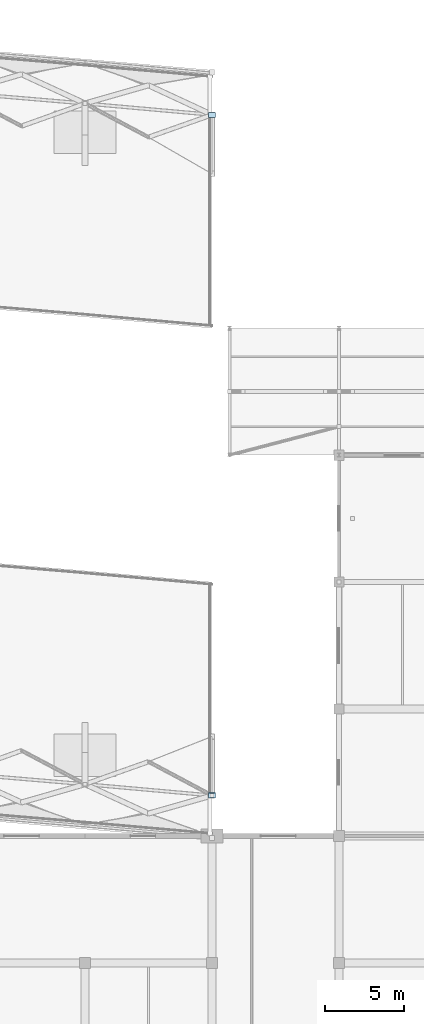
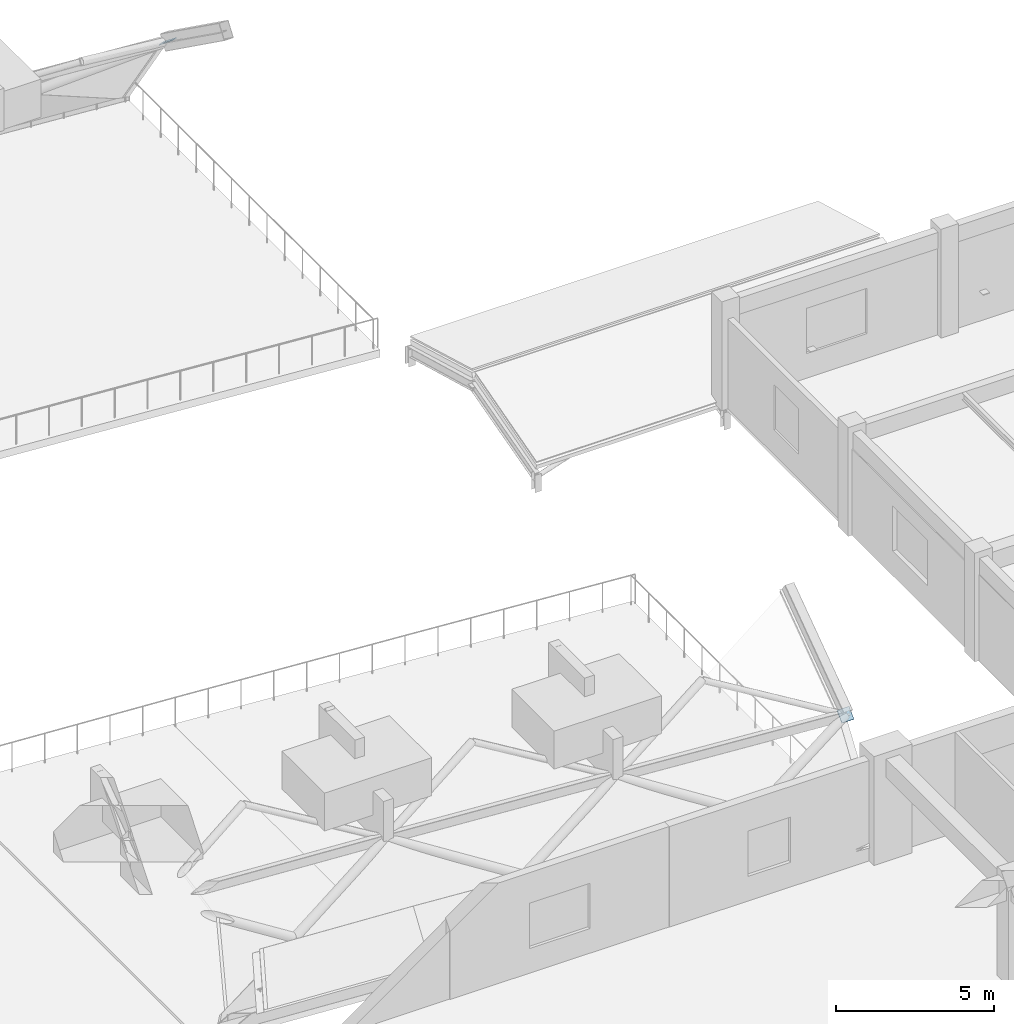
# One storey, part 41 of 67: 2 plates.
"""IFC4 building model written with IfcOpenShell, lengths in metres."""

from ifc_helpers import new_model, si_unit, direction, frame, origin, place, context, subcontext, project, spatial, polyline, outline, extrude, material, layer, layer_set, type_object, element, save


model = new_model("IFC4")

# Units and contexts
model_context = context("Model", 3, precision=1e-05, world=origin(), true_north=direction((0.0, 1.0)))
body_context = subcontext(model_context, "Body", "Model", "MODEL_VIEW")
ifc_project = project(units=[si_unit("LENGTHUNIT", "METRE"), si_unit("AREAUNIT", "SQUARE_METRE"), si_unit("VOLUMEUNIT", "CUBIC_METRE"), si_unit("PLANEANGLEUNIT", "RADIAN"), si_unit("MASSUNIT", "GRAM", prefix="KILO")], contexts=[model_context])

# Site, building, storey
site_placement = place(None, origin())
site = spatial("IfcSite", under=ifc_project, at=site_placement, CompositionType="ELEMENT")
building_placement = place(site_placement, origin())
building = spatial("IfcBuilding", under=site, at=building_placement, Name="Kenh Van Central Station", CompositionType="ELEMENT")
storey_placement = place(building_placement, frame((0.0, 0.0, 10.800048828125)))
storey = spatial("IfcBuildingStorey", under=building, at=storey_placement, Name="L02", CompositionType="ELEMENT", Elevation=10.800048828125)

# Plates
ifc_material = material(Name="White fluoropolymer structural steel S355", Category="steel")
ifc_layer = layer(ifc_material, 0.02490234375, Name="White fluoropolymer structural steel S355")
ifc_layer_set = layer_set([ifc_layer], Name="White fluoropolymer structural steel S355")
plate_type = type_object("IfcPlateType", Name="PLT-GUSSET-NP25", PredefinedType="USERDEFINED", material=ifc_layer_set)
for number, where, z_axis, x_axis, name in (
    (1, (143.780029296875, 66.394775390625, 3.608154296875), (0.0, -0.698178312664, 0.715923909173), (1.0, 0.0, 0.0), "Vault node gusset plate NP-25 042"),
    (2, (143.780029296875, 109.2900390625, 3.91552734375), (0.0, 0.698178312664, 0.715923909173), (1.0, 0.0, 0.0), "Vault node gusset plate NP-25 052"),
):
    element("IfcPlate", number, at=place(storey_placement, frame(where, z_axis=z_axis, x_axis=x_axis)), inside=storey, type_object=plate_type, Name=name, ObjectType="GUSSET_PLATE", PredefinedType="USERDEFINED", context=body_context, shape_type="SweptSolid", body=[
        extrude(outline(polyline([(0.0, 0.0), (0.43994140625, 0.0), (0.43994140625, 0.44025006405918193), (0.0, 0.44025006405918193), (0.0, 0.0)])), origin(), (0.0, 0.0, -1.0), 0.02490234375),
    ])

save(model, "model.ifc")
